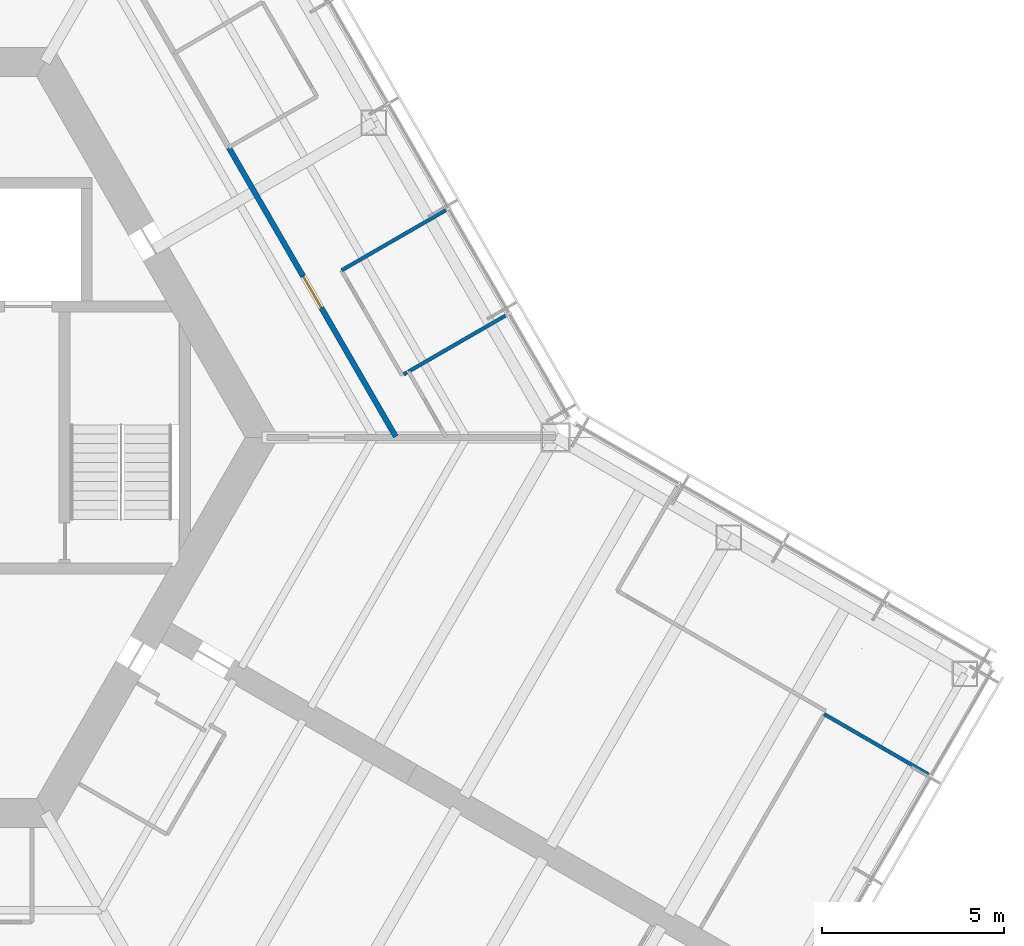
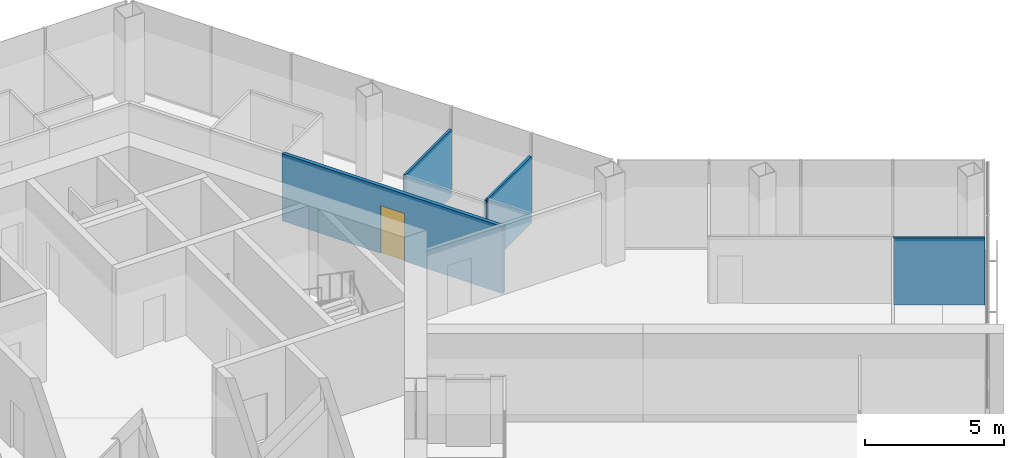
# One storey, part 13 of 17: 5 walls, 1 door, 1 opening.
"""IFC4 building model written with IfcOpenShell, lengths in metres."""

import ifcopenshell
import ifcopenshell.guid

model = None  # the IFC model being written
_history = None  # IfcOwnerHistory: only IFC2X3 demands one
_inside = {}  # id of a spatial element -> (the spatial element, [elements in it])
_under = {}  # id of a project, library or spatial element -> (it, [spatial elements below it])
_declared = {}  # id of a project -> (the project, [libraries it declares])
_typed = {}  # id of a type object -> (the type object, [elements of that type])
_made_of = {}  # id of a material, layer set ... -> (it, [elements and type objects made of it])


def new_model(schema):
    """Start an empty IFC model of exactly this schema.

    Asked for "IFC4X3", IfcOpenShell would pick the latest addendum, in which some entities
    have other attributes; the version numbers below select the first issue.
    IFC2X3 requires an IfcOwnerHistory on every rooted entity: one is made here for all.
    """
    global model, _history
    if schema == "IFC4X3":
        model = ifcopenshell.file(schema_version=(4, 3, 0, 0))
    else:
        model = ifcopenshell.file(schema=schema)
    _inside.clear()
    _under.clear()
    _declared.clear()
    _typed.clear()
    _made_of.clear()
    _history = None
    if model.schema == "IFC2X3":
        org = make("IfcOrganization", Name="unknown")
        user = make(
            "IfcPersonAndOrganization",
            ThePerson=make("IfcPerson", FamilyName="unknown"),
            TheOrganization=org,
        )
        app = make(
            "IfcApplication",
            ApplicationDeveloper=org,
            Version="unknown",
            ApplicationFullName="unknown",
            ApplicationIdentifier="unknown",
        )
        _history = make(
            "IfcOwnerHistory",
            OwningUser=user,
            OwningApplication=app,
            ChangeAction="ADDED",
            CreationDate=0,
        )
    return model


def make(cls, **values):
    """One entity of the class cls with the attributes given. An attribute that is None is left unset."""
    return model.create_entity(
        cls, **{name: value for name, value in values.items() if value is not None}
    )


def rooted(cls, **values):
    """An entity with a GlobalId (a new one), such as an element, a storey or a relation."""
    return make(cls, GlobalId=ifcopenshell.guid.new(), OwnerHistory=_history, **values)


def si_unit(unit_type, name, prefix=None):
    """IfcSIUnit, for example si_unit("LENGTHUNIT", "METRE", prefix="MILLI")."""
    return make("IfcSIUnit", UnitType=unit_type, Prefix=prefix, Name=name)


def assignment(units):
    """IfcUnitAssignment: the units of a project."""
    return None if units is None else make("IfcUnitAssignment", Units=units)


def point(xyz):
    """IfcCartesianPoint."""
    return None if xyz is None else make("IfcCartesianPoint", Coordinates=xyz)


def direction(xyz):
    """IfcDirection."""
    return None if xyz is None else make("IfcDirection", DirectionRatios=xyz)


def frame(location, z_axis=None, x_axis=None):
    """IfcAxis2Placement3D, a coordinate frame: its origin and axes. An axis left out is left unset."""
    return make(
        "IfcAxis2Placement3D",
        Location=point(location),
        Axis=direction(z_axis),
        RefDirection=direction(x_axis),
    )


def frame_2d(location, x_axis=None):
    """IfcAxis2Placement2D, a coordinate frame in the plane: its origin and x axis."""
    return make(
        "IfcAxis2Placement2D", Location=point(location), RefDirection=direction(x_axis)
    )


def origin():
    """The frame at (0, 0, 0) with its axes left unset."""
    return frame((0.0, 0.0, 0.0))


def place(relative_to, where):
    """IfcLocalPlacement: puts the frame where relative to a parent placement (None: the world)."""
    return make(
        "IfcLocalPlacement", PlacementRelTo=relative_to, RelativePlacement=where
    )


def context(
    kind, dimensions, precision=None, world=None, true_north=None, identifier=None
):
    """IfcGeometricRepresentationContext, for example the 3D "Model" context."""
    return make(
        "IfcGeometricRepresentationContext",
        ContextIdentifier=identifier,
        ContextType=kind,
        CoordinateSpaceDimension=dimensions,
        Precision=precision,
        WorldCoordinateSystem=world,
        TrueNorth=true_north,
    )


def subcontext(parent, identifier, kind, view, scale=None):
    """IfcGeometricRepresentationSubContext, for example "Body" below "Model"."""
    return make(
        "IfcGeometricRepresentationSubContext",
        ContextIdentifier=identifier,
        ContextType=kind,
        ParentContext=parent,
        TargetScale=scale,
        TargetView=view,
    )


def project(units=None, contexts=None):
    """IfcProject with its units and contexts."""
    return rooted(
        "IfcProject",
        Name="project",
        RepresentationContexts=contexts,
        UnitsInContext=assignment(units),
    )


def spatial(cls, under=None, at=None, **own):
    """A site, building, storey or space (cls), placed at a placement, below another one or the project."""
    s = rooted(cls, ObjectPlacement=at, **own)
    if under is not None:
        _under.setdefault(under.id(), (under, []))[1].append(s)
    return s


def profile(cls, at=None, kind="AREA", **sizes):
    """A parametric profile (cls). Its sizes go by their IFC names, for example OverallWidth=200.0."""
    return make(cls, ProfileType=kind, Position=at, **sizes)


def rectangle(**sizes):
    """IfcRectangleProfileDef."""
    return profile("IfcRectangleProfileDef", **sizes)


def extrude(swept, where, along, depth):
    """IfcExtrudedAreaSolid: the profile swept, set in the frame where, extruded along a direction by depth."""
    return make(
        "IfcExtrudedAreaSolid",
        SweptArea=swept,
        Position=where,
        ExtrudedDirection=direction(along),
        Depth=depth,
    )


def shape(context_of_items, identifier, shape_type, items):
    """IfcShapeRepresentation: the items that make up one representation, for example the "Body"."""
    return make(
        "IfcShapeRepresentation",
        ContextOfItems=context_of_items,
        RepresentationIdentifier=identifier,
        RepresentationType=shape_type,
        Items=items,
    )


def material(Name=None, Category=None):
    """IfcMaterial."""
    return make("IfcMaterial", Name=Name, Category=Category)


def layer(
    of_material, thickness, ventilated=None, Name=None, Category=None, Priority=None
):
    """IfcMaterialLayer: one layer of a wall or slab, of a material (None: an air gap)."""
    return make(
        "IfcMaterialLayer",
        Material=of_material,
        LayerThickness=thickness,
        IsVentilated=ventilated,
        Name=Name,
        Category=Category,
        Priority=Priority,
    )


def layer_set(layers, Name=None):
    """IfcMaterialLayerSet."""
    return make("IfcMaterialLayerSet", MaterialLayers=layers, LayerSetName=Name)


def made_of(thing, what):
    """Note that an element or type object is made of a material, layer set ...; save() writes the relation."""
    if what is not None:
        _made_of.setdefault(what.id(), (what, []))[1].append(thing)
    return thing


def type_object(cls, material=None, **own):
    """A type object (cls), such as IfcWallType, which elements share."""
    return made_of(rooted(cls, **own), material)


def element(
    cls,
    number,
    at=None,
    inside=None,
    cuts=None,
    type_object=None,
    material=None,
    context=None,
    identifier="Body",
    shape_type=None,
    held_by="IfcProductDefinitionShape",
    body=None,
    shapes=None,
    **own,
):
    """One element of the class cls, such as IfcWall. Its Tag is "e" and its number.

    at: its placement. inside: the storey or other place that contains it. cuts: it is an
    opening in that element (IfcRelVoidsElement). A single representation is given by context,
    identifier, shape_type and body (its items); several are given by shapes. held_by: the class
    of the entity that holds the representations. save() writes the other relations.
    """
    e = rooted(cls, Tag="e%d" % number, ObjectPlacement=at, **own)
    if body is not None:
        shapes = [shape(context, identifier, shape_type, body)]
    if shapes is not None:
        e.Representation = make(held_by, Representations=shapes)
    if inside is not None:
        _inside.setdefault(inside.id(), (inside, []))[1].append(e)
    if cuts is not None:
        rooted(
            "IfcRelVoidsElement", RelatingBuildingElement=cuts, RelatedOpeningElement=e
        )
    if type_object is not None:
        _typed.setdefault(type_object.id(), (type_object, []))[1].append(e)
    return made_of(e, material)


def fill(opening, filler):
    """IfcRelFillsElement: the door or window that sits in an opening."""
    return rooted(
        "IfcRelFillsElement",
        RelatingOpeningElement=opening,
        RelatedBuildingElement=filler,
    )


def aggregate(whole, parts):
    """IfcRelAggregates: a whole, such as a stair, and the parts it consists of."""
    return rooted("IfcRelAggregates", RelatingObject=whole, RelatedObjects=parts)


def save(model, path):
    """Write the relations noted so far, then the file.

    IfcRelAggregates (storeys below a building ...), IfcRelContainedInSpatialStructure (elements
    in a storey), IfcRelDefinesByType, IfcRelAssociatesMaterial and IfcRelDeclares: one each for
    every whole, place, type object, material and project.
    """
    for whole, parts in _under.values():
        aggregate(whole, parts)
    for where, things in _inside.values():
        rooted(
            "IfcRelContainedInSpatialStructure",
            RelatedElements=things,
            RelatingStructure=where,
        )
    for kind, things in _typed.values():
        rooted("IfcRelDefinesByType", RelatedObjects=things, RelatingType=kind)
    for what, things in _made_of.values():
        rooted("IfcRelAssociatesMaterial", RelatedObjects=things, RelatingMaterial=what)
    for by, libraries in _declared.values():
        rooted("IfcRelDeclares", RelatingContext=by, RelatedDefinitions=libraries)
    model.write(path)


model = new_model("IFC4")

# Units and contexts
model_context = context("Model", 3, precision=1e-05, world=origin(), true_north=direction((0.0, 1.0)))
body_context = subcontext(model_context, "Body", "Model", "MODEL_VIEW")
ifc_project = project(units=[si_unit("LENGTHUNIT", "METRE"), si_unit("AREAUNIT", "SQUARE_METRE"), si_unit("VOLUMEUNIT", "CUBIC_METRE"), si_unit("PLANEANGLEUNIT", "RADIAN"), si_unit("MASSUNIT", "GRAM", prefix="KILO")], contexts=[model_context])

# Site, building, storey
site_placement = place(None, origin())
site = spatial("IfcSite", under=ifc_project, at=site_placement, CompositionType="ELEMENT")
building_placement = place(site_placement, origin())
building = spatial("IfcBuilding", under=site, at=building_placement, Name="Kasaneha Research Tower", CompositionType="ELEMENT")
storey_placement = place(building_placement, frame((0.0, 0.0, 232.300048828125)))
storey = spatial("IfcBuildingStorey", under=building, at=storey_placement, Name="L58", CompositionType="ELEMENT", Elevation=232.300048828125)

# Walls
ifc_material_1 = material(Name="Gypsum board on steel studs, one layer each side", Category="steel")
ifc_layer_1 = layer(ifc_material_1, 0.10009765625)
ifc_layer_set_1 = layer_set([ifc_layer_1], Name="Office partition 100")
wall_type_1 = type_object("IfcWallType", Name="Office partition 100", PredefinedType="PARTITIONING", material=ifc_layer_set_1)
wall_1_placement = place(storey_placement, frame((18.619873046875, 3.3505859375, 0.0), z_axis=(0.0, 0.0, 1.0), x_axis=(-0.866043267704, -0.499969057507, 0.0)))
element("IfcWall", 1, at=wall_1_placement, inside=storey, type_object=wall_type_1, Name="Office partition FAE13 L58", PredefinedType="PARTITIONING", context=body_context, shape_type="SweptSolid", body=[
    extrude(rectangle(XDim=3.085205078125, YDim=0.10009765625, at=frame_2d((1.54248046875, 0.0))), origin(), (0.0, 0.0, 1.0), 2.949951171875),
])
wall_2_placement = place(storey_placement, frame((14.11376953125, 4.59521484375, 0.0), z_axis=(0.0, 0.0, 1.0), x_axis=(0.866033287653, 0.49998634449, 0.0)))
element("IfcWall", 2, at=wall_2_placement, inside=storey, type_object=wall_type_1, Name="Office partition FAE14 L58", PredefinedType="PARTITIONING", context=body_context, shape_type="SweptSolid", body=[
    extrude(rectangle(XDim=3.31005859375, YDim=0.10009765625, at=frame_2d((1.655029296875, 0.0))), origin(), (0.0, 0.0, 1.0), 2.949951171875),
])
wall_3_placement = place(storey_placement, frame((30.250244140625, -9.26611328125, 0.0), z_axis=(0.0, 0.0, 1.0), x_axis=(-0.865342122637, 0.501181614577, 0.0)))
element("IfcWall", 3, at=wall_3_placement, inside=storey, type_object=wall_type_1, Name="Office partition FCE01 L58", PredefinedType="PARTITIONING", context=body_context, shape_type="SweptSolid", body=[
    extrude(rectangle(XDim=3.310546875, YDim=0.10009765625, at=frame_2d((1.6552734375, 0.0))), origin(), (0.0, 0.0, 1.0), 2.949951171875),
])
wall_4_placement = place(storey_placement, frame((15.82275390625, 1.7353515625, 0.0), z_axis=(0.0, 0.0, 1.0), x_axis=(0.867234405398, 0.497900076415, 0.0)))
element("IfcWall", 4, at=wall_4_placement, inside=storey, type_object=wall_type_1, Name="Office partition closer PT5 L58", PredefinedType="PARTITIONING", context=body_context, shape_type="SweptSolid", body=[
    extrude(rectangle(XDim=0.1044921875, YDim=0.10009765625, at=frame_2d((0.05224609375, 0.0))), origin(), (0.0, 0.0, 1.0), 2.949951171875),
])

# Wall, opening, door
ifc_material_2 = material(Name="Gypsum board on steel studs, two layers each side", Category="steel")
ifc_layer_2 = layer(ifc_material_2, 0.14990234375)
ifc_layer_set_2 = layer_set([ifc_layer_2], Name="Suite partition 150")
wall_type_2 = type_object("IfcWallType", Name="Suite partition 150", PredefinedType="PARTITIONING", material=ifc_layer_set_2)
wall_5_placement = place(storey_placement, frame((11.0107421875, 7.978759765625, 0.0), z_axis=(0.0, 0.0, 1.0), x_axis=(0.49999917462, -0.866025880317, 0.0)))
wall_5 = element("IfcWall", 5, at=wall_5_placement, inside=storey, type_object=wall_type_2, Name="Suite partition FAE05 L58", PredefinedType="PARTITIONING", context=body_context, shape_type="SweptSolid", body=[
    extrude(rectangle(XDim=9.18994140625, YDim=0.14990234375, at=frame_2d((4.594970703125, 0.0))), origin(), (0.0, 0.0, 1.0), 2.949951171875),
])
opening_placement = place(wall_5_placement, frame((4.094970703125, 0.0, 0.0)))
opening = element("IfcOpeningElement", 6, at=opening_placement, cuts=wall_5, Name="Opening L58-D27", PredefinedType="OPENING", context=body_context, shape_type="SweptSolid", body=[
    extrude(rectangle(XDim=1.0, YDim=2.10009765625, at=frame_2d((0.5, 1.050048828125))), frame((0.0, 0.0849609375, 0.0), z_axis=(0.0, -1.0, 0.0), x_axis=(1.0, 0.0, 0.0)), (0.0, 0.0, 1.0), 0.169921875),
])
ifc_material_3 = material(Name="Steel", Category="steel")
door_type = type_object("IfcDoorType", Name="Suite entrance door FD60 1000x2100", OperationType="NOTDEFINED", PredefinedType="DOOR", material=ifc_material_3)
door_placement = place(opening_placement, origin())
door = element("IfcDoor", 7, at=door_placement, inside=storey, type_object=door_type, Name="Suite entrance door L58-D27", OperationType="SINGLE_SWING_LEFT", OverallHeight=2.10009765625, OverallWidth=1.0, PredefinedType="DOOR", context=body_context, shape_type="SweptSolid", body=[
    extrude(rectangle(XDim=1.0, YDim=2.10009765625, at=frame_2d((0.5, 1.050048828125))), frame((0.0, 0.02490234375, 0.0), z_axis=(0.0, -1.0, 0.0), x_axis=(1.0, 0.0, 0.0)), (0.0, 0.0, 1.0), 0.050048828125),
])
fill(opening, door)

save(model, "model.ifc")
